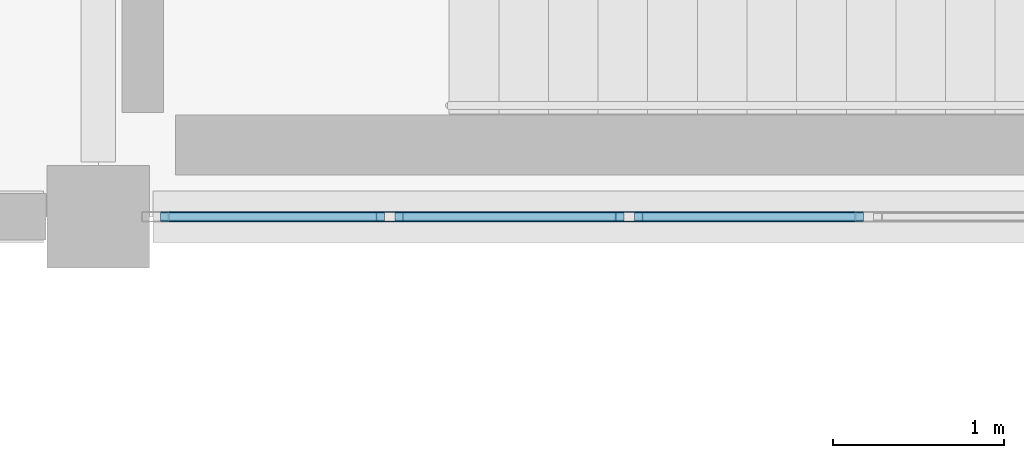
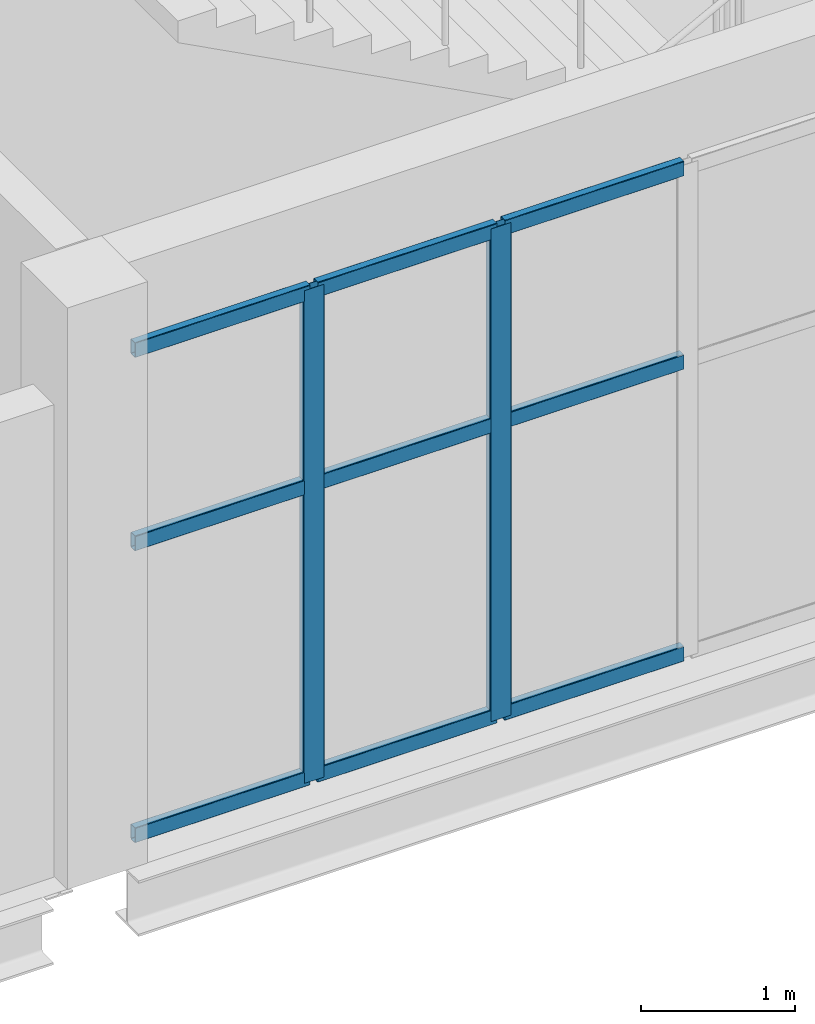
# One storey, part 89 of 136: 11 members, 1 element without a shape of its own.
"""IFC4 building model written with IfcOpenShell, lengths in metres."""

import ifcopenshell
import ifcopenshell.guid

model = None  # the IFC model being written
_history = None  # IfcOwnerHistory: only IFC2X3 demands one
_inside = {}  # id of a spatial element -> (the spatial element, [elements in it])
_under = {}  # id of a project, library or spatial element -> (it, [spatial elements below it])
_declared = {}  # id of a project -> (the project, [libraries it declares])
_typed = {}  # id of a type object -> (the type object, [elements of that type])
_made_of = {}  # id of a material, layer set ... -> (it, [elements and type objects made of it])


def new_model(schema):
    """Start an empty IFC model of exactly this schema.

    Asked for "IFC4X3", IfcOpenShell would pick the latest addendum, in which some entities
    have other attributes; the version numbers below select the first issue.
    IFC2X3 requires an IfcOwnerHistory on every rooted entity: one is made here for all.
    """
    global model, _history
    if schema == "IFC4X3":
        model = ifcopenshell.file(schema_version=(4, 3, 0, 0))
    else:
        model = ifcopenshell.file(schema=schema)
    _inside.clear()
    _under.clear()
    _declared.clear()
    _typed.clear()
    _made_of.clear()
    _history = None
    if model.schema == "IFC2X3":
        org = make("IfcOrganization", Name="unknown")
        user = make(
            "IfcPersonAndOrganization",
            ThePerson=make("IfcPerson", FamilyName="unknown"),
            TheOrganization=org,
        )
        app = make(
            "IfcApplication",
            ApplicationDeveloper=org,
            Version="unknown",
            ApplicationFullName="unknown",
            ApplicationIdentifier="unknown",
        )
        _history = make(
            "IfcOwnerHistory",
            OwningUser=user,
            OwningApplication=app,
            ChangeAction="ADDED",
            CreationDate=0,
        )
    return model


def make(cls, **values):
    """One entity of the class cls with the attributes given. An attribute that is None is left unset."""
    return model.create_entity(
        cls, **{name: value for name, value in values.items() if value is not None}
    )


def rooted(cls, **values):
    """An entity with a GlobalId (a new one), such as an element, a storey or a relation."""
    return make(cls, GlobalId=ifcopenshell.guid.new(), OwnerHistory=_history, **values)


def si_unit(unit_type, name, prefix=None):
    """IfcSIUnit, for example si_unit("LENGTHUNIT", "METRE", prefix="MILLI")."""
    return make("IfcSIUnit", UnitType=unit_type, Prefix=prefix, Name=name)


def assignment(units):
    """IfcUnitAssignment: the units of a project."""
    return None if units is None else make("IfcUnitAssignment", Units=units)


def point(xyz):
    """IfcCartesianPoint."""
    return None if xyz is None else make("IfcCartesianPoint", Coordinates=xyz)


def direction(xyz):
    """IfcDirection."""
    return None if xyz is None else make("IfcDirection", DirectionRatios=xyz)


def frame(location, z_axis=None, x_axis=None):
    """IfcAxis2Placement3D, a coordinate frame: its origin and axes. An axis left out is left unset."""
    return make(
        "IfcAxis2Placement3D",
        Location=point(location),
        Axis=direction(z_axis),
        RefDirection=direction(x_axis),
    )


def frame_2d(location, x_axis=None):
    """IfcAxis2Placement2D, a coordinate frame in the plane: its origin and x axis."""
    return make(
        "IfcAxis2Placement2D", Location=point(location), RefDirection=direction(x_axis)
    )


def origin():
    """The frame at (0, 0, 0) with its axes left unset."""
    return frame((0.0, 0.0, 0.0))


def origin_2d():
    """The frame at (0, 0) in the plane with its x axis left unset."""
    return frame_2d((0.0, 0.0))


def place(relative_to, where):
    """IfcLocalPlacement: puts the frame where relative to a parent placement (None: the world)."""
    return make(
        "IfcLocalPlacement", PlacementRelTo=relative_to, RelativePlacement=where
    )


def context(
    kind, dimensions, precision=None, world=None, true_north=None, identifier=None
):
    """IfcGeometricRepresentationContext, for example the 3D "Model" context."""
    return make(
        "IfcGeometricRepresentationContext",
        ContextIdentifier=identifier,
        ContextType=kind,
        CoordinateSpaceDimension=dimensions,
        Precision=precision,
        WorldCoordinateSystem=world,
        TrueNorth=true_north,
    )


def subcontext(parent, identifier, kind, view, scale=None):
    """IfcGeometricRepresentationSubContext, for example "Body" below "Model"."""
    return make(
        "IfcGeometricRepresentationSubContext",
        ContextIdentifier=identifier,
        ContextType=kind,
        ParentContext=parent,
        TargetScale=scale,
        TargetView=view,
    )


def project(units=None, contexts=None):
    """IfcProject with its units and contexts."""
    return rooted(
        "IfcProject",
        Name="project",
        RepresentationContexts=contexts,
        UnitsInContext=assignment(units),
    )


def spatial(cls, under=None, at=None, **own):
    """A site, building, storey or space (cls), placed at a placement, below another one or the project."""
    s = rooted(cls, ObjectPlacement=at, **own)
    if under is not None:
        _under.setdefault(under.id(), (under, []))[1].append(s)
    return s


def profile(cls, at=None, kind="AREA", **sizes):
    """A parametric profile (cls). Its sizes go by their IFC names, for example OverallWidth=200.0."""
    return make(cls, ProfileType=kind, Position=at, **sizes)


def hollow_rectangle(**sizes):
    """IfcRectangleHollowProfileDef."""
    return profile("IfcRectangleHollowProfileDef", **sizes)


def extrude(swept, where, along, depth):
    """IfcExtrudedAreaSolid: the profile swept, set in the frame where, extruded along a direction by depth."""
    return make(
        "IfcExtrudedAreaSolid",
        SweptArea=swept,
        Position=where,
        ExtrudedDirection=direction(along),
        Depth=depth,
    )


def shape(context_of_items, identifier, shape_type, items):
    """IfcShapeRepresentation: the items that make up one representation, for example the "Body"."""
    return make(
        "IfcShapeRepresentation",
        ContextOfItems=context_of_items,
        RepresentationIdentifier=identifier,
        RepresentationType=shape_type,
        Items=items,
    )


def material(Name=None, Category=None):
    """IfcMaterial."""
    return make("IfcMaterial", Name=Name, Category=Category)


def material_profile(
    of_material, cross_section, Name=None, Category=None, Priority=None
):
    """IfcMaterialProfile: a cross section and its material."""
    return make(
        "IfcMaterialProfile",
        Name=Name,
        Material=of_material,
        Profile=cross_section,
        Priority=Priority,
        Category=Category,
    )


def profile_set(profiles, Name=None, composite=None):
    """IfcMaterialProfileSet."""
    return make(
        "IfcMaterialProfileSet",
        Name=Name,
        MaterialProfiles=profiles,
        CompositeProfile=composite,
    )


def made_of(thing, what):
    """Note that an element or type object is made of a material, layer set ...; save() writes the relation."""
    if what is not None:
        _made_of.setdefault(what.id(), (what, []))[1].append(thing)
    return thing


def type_object(cls, material=None, **own):
    """A type object (cls), such as IfcWallType, which elements share."""
    return made_of(rooted(cls, **own), material)


def element(
    cls,
    number,
    at=None,
    inside=None,
    cuts=None,
    type_object=None,
    material=None,
    context=None,
    identifier="Body",
    shape_type=None,
    held_by="IfcProductDefinitionShape",
    body=None,
    shapes=None,
    **own,
):
    """One element of the class cls, such as IfcWall. Its Tag is "e" and its number.

    at: its placement. inside: the storey or other place that contains it. cuts: it is an
    opening in that element (IfcRelVoidsElement). A single representation is given by context,
    identifier, shape_type and body (its items); several are given by shapes. held_by: the class
    of the entity that holds the representations. save() writes the other relations.
    """
    e = rooted(cls, Tag="e%d" % number, ObjectPlacement=at, **own)
    if body is not None:
        shapes = [shape(context, identifier, shape_type, body)]
    if shapes is not None:
        e.Representation = make(held_by, Representations=shapes)
    if inside is not None:
        _inside.setdefault(inside.id(), (inside, []))[1].append(e)
    if cuts is not None:
        rooted(
            "IfcRelVoidsElement", RelatingBuildingElement=cuts, RelatedOpeningElement=e
        )
    if type_object is not None:
        _typed.setdefault(type_object.id(), (type_object, []))[1].append(e)
    return made_of(e, material)


def aggregate(whole, parts):
    """IfcRelAggregates: a whole, such as a stair, and the parts it consists of."""
    return rooted("IfcRelAggregates", RelatingObject=whole, RelatedObjects=parts)


def save(model, path):
    """Write the relations noted so far, then the file.

    IfcRelAggregates (storeys below a building ...), IfcRelContainedInSpatialStructure (elements
    in a storey), IfcRelDefinesByType, IfcRelAssociatesMaterial and IfcRelDeclares: one each for
    every whole, place, type object, material and project.
    """
    for whole, parts in _under.values():
        aggregate(whole, parts)
    for where, things in _inside.values():
        rooted(
            "IfcRelContainedInSpatialStructure",
            RelatedElements=things,
            RelatingStructure=where,
        )
    for kind, things in _typed.values():
        rooted("IfcRelDefinesByType", RelatedObjects=things, RelatingType=kind)
    for what, things in _made_of.values():
        rooted("IfcRelAssociatesMaterial", RelatedObjects=things, RelatingMaterial=what)
    for by, libraries in _declared.values():
        rooted("IfcRelDeclares", RelatingContext=by, RelatedDefinitions=libraries)
    model.write(path)


model = new_model("IFC4")

# Units and contexts
model_context = context("Model", 3, precision=1e-05, world=origin(), true_north=direction((0.0, 1.0)))
body_context = subcontext(model_context, "Body", "Model", "MODEL_VIEW")
ifc_project = project(units=[si_unit("LENGTHUNIT", "METRE"), si_unit("AREAUNIT", "SQUARE_METRE"), si_unit("VOLUMEUNIT", "CUBIC_METRE"), si_unit("PLANEANGLEUNIT", "RADIAN"), si_unit("MASSUNIT", "GRAM", prefix="KILO")], contexts=[model_context])

# Site, building, storey
site_placement = place(None, origin())
site = spatial("IfcSite", under=ifc_project, at=site_placement, CompositionType="ELEMENT")
building_placement = place(site_placement, origin())
building = spatial("IfcBuilding", under=site, at=building_placement, Name="Shengluoqiao Park Theatre", CompositionType="ELEMENT")
storey_placement = place(building_placement, frame((0.0, 0.0, 10.0)))
storey = spatial("IfcBuildingStorey", under=building, at=storey_placement, Name="L02", CompositionType="ELEMENT", Elevation=10.0)

# Curtain wall, members
ifc_material = material(Name="Aluminium 6063-T6", Category="aluminium")
curtain_wall_type = type_object("IfcCurtainWallType", Name="ENV-CW-CLERE", PredefinedType="NOTDEFINED", material=ifc_material)
curtain_wall_placement = place(storey_placement, origin())
curtain_wall = element("IfcCurtainWall", 1, at=curtain_wall_placement, inside=storey, type_object=curtain_wall_type, Name="L02 Curtain Wall CWX-L02-0189", PredefinedType="NOTDEFINED")
ifc_material_profile_1 = material_profile(ifc_material, hollow_rectangle(XDim=0.06005859375, YDim=0.159912109375, WallThickness=0.00390625, InnerFilletRadius=0.00390625, OuterFilletRadius=0.008056640625, at=origin_2d()), Name="ALU MULLION 160x60x4")
ifc_profile_set_1 = profile_set([ifc_material_profile_1], Name="Aluminium 6063-T6")
member_type_1 = type_object("IfcMemberType", Name="ENV-MUL-160", PredefinedType="MULLION", material=ifc_profile_set_1)
member_1_placement = place(storey_placement, frame((141.102783203125, 84.0, 0.0), z_axis=(0.0, 0.0, 1.0), x_axis=(0.0, 1.0, 0.0)))
member_1 = element("IfcMember", 2, at=member_1_placement, type_object=member_type_1, Name="CW-06 mullion 2", PredefinedType="MULLION", context=body_context, shape_type="SweptSolid", body=[
    extrude(hollow_rectangle(XDim=0.06005859375, YDim=0.159912109375, WallThickness=0.00390625, InnerFilletRadius=0.00390625, OuterFilletRadius=0.008056640625, at=origin_2d()), origin(), (0.0, 0.0, 1.0), 3.89794921875),
])
member_2_placement = place(storey_placement, frame((142.501220703125, 84.0, 0.0), z_axis=(0.0, 0.0, 1.0), x_axis=(0.0, 1.0, 0.0)))
member_2 = element("IfcMember", 3, at=member_2_placement, type_object=member_type_1, Name="CW-06 mullion 3", PredefinedType="MULLION", context=body_context, shape_type="SweptSolid", body=[
    extrude(hollow_rectangle(XDim=0.06005859375, YDim=0.159912109375, WallThickness=0.00390625, InnerFilletRadius=0.00390625, OuterFilletRadius=0.008056640625, at=origin_2d()), origin(), (0.0, 0.0, 1.0), 3.89794921875),
])
ifc_material_profile_2 = material_profile(ifc_material, hollow_rectangle(XDim=0.06005859375, YDim=0.1201171875, WallThickness=0.00390625, InnerFilletRadius=0.00390625, OuterFilletRadius=0.008056640625, at=origin_2d()), Name="ALU TRANSOM 120x60x4")
ifc_profile_set_2 = profile_set([ifc_material_profile_2], Name="Aluminium 6063-T6")
member_type_2 = type_object("IfcMemberType", Name="ENV-TRN-120", PredefinedType="USERDEFINED", material=ifc_profile_set_2)
member_3_placement = place(storey_placement, frame((139.763916015625, 84.0, 0.030029296875), z_axis=(1.0, 0.0, 0.0), x_axis=(0.0, 1.0, 0.0)))
member_3 = element("IfcMember", 4, at=member_3_placement, type_object=member_type_2, Name="CW-06 transom 1.1", ObjectType="TRANSOM", PredefinedType="USERDEFINED", context=body_context, shape_type="SweptSolid", body=[
    extrude(hollow_rectangle(XDim=0.06005859375, YDim=0.1201171875, WallThickness=0.00390625, InnerFilletRadius=0.00390625, OuterFilletRadius=0.008056640625, at=origin_2d()), origin(), (0.0, 0.0, 1.0), 1.308837890625),
])
member_4_placement = place(storey_placement, frame((139.763916015625, 84.0, 2.339111328125), z_axis=(1.0, 0.0, 0.0), x_axis=(0.0, 1.0, 0.0)))
member_4 = element("IfcMember", 5, at=member_4_placement, type_object=member_type_2, Name="CW-06 transom 1.2", ObjectType="TRANSOM", PredefinedType="USERDEFINED", context=body_context, shape_type="SweptSolid", body=[
    extrude(hollow_rectangle(XDim=0.06005859375, YDim=0.1201171875, WallThickness=0.00390625, InnerFilletRadius=0.00390625, OuterFilletRadius=0.008056640625, at=origin_2d()), origin(), (0.0, 0.0, 1.0), 1.308837890625),
])
member_5_placement = place(storey_placement, frame((139.763916015625, 84.0, 3.867919921875), z_axis=(1.0, 0.0, 0.0), x_axis=(0.0, 1.0, 0.0)))
member_5 = element("IfcMember", 6, at=member_5_placement, type_object=member_type_2, Name="CW-06 transom 1.3", ObjectType="TRANSOM", PredefinedType="USERDEFINED", context=body_context, shape_type="SweptSolid", body=[
    extrude(hollow_rectangle(XDim=0.06005859375, YDim=0.1201171875, WallThickness=0.00390625, InnerFilletRadius=0.00390625, OuterFilletRadius=0.008056640625, at=origin_2d()), origin(), (0.0, 0.0, 1.0), 1.308837890625),
])
member_6_placement = place(storey_placement, frame((141.132568359375, 84.0, 0.030029296875), z_axis=(1.0, 0.0, 0.0), x_axis=(0.0, 1.0, 0.0)))
member_6 = element("IfcMember", 7, at=member_6_placement, type_object=member_type_2, Name="CW-06 transom 2.1", ObjectType="TRANSOM", PredefinedType="USERDEFINED", context=body_context, shape_type="SweptSolid", body=[
    extrude(hollow_rectangle(XDim=0.06005859375, YDim=0.1201171875, WallThickness=0.00390625, InnerFilletRadius=0.00390625, OuterFilletRadius=0.008056640625, at=origin_2d()), origin(), (0.0, 0.0, 1.0), 1.3388671875),
])
member_7_placement = place(storey_placement, frame((141.132568359375, 84.0, 2.339111328125), z_axis=(1.0, 0.0, 0.0), x_axis=(0.0, 1.0, 0.0)))
member_7 = element("IfcMember", 8, at=member_7_placement, type_object=member_type_2, Name="CW-06 transom 2.2", ObjectType="TRANSOM", PredefinedType="USERDEFINED", context=body_context, shape_type="SweptSolid", body=[
    extrude(hollow_rectangle(XDim=0.06005859375, YDim=0.1201171875, WallThickness=0.00390625, InnerFilletRadius=0.00390625, OuterFilletRadius=0.008056640625, at=origin_2d()), origin(), (0.0, 0.0, 1.0), 1.3388671875),
])
member_8_placement = place(storey_placement, frame((141.132568359375, 84.0, 3.867919921875), z_axis=(1.0, 0.0, 0.0), x_axis=(0.0, 1.0, 0.0)))
member_8 = element("IfcMember", 9, at=member_8_placement, type_object=member_type_2, Name="CW-06 transom 2.3", ObjectType="TRANSOM", PredefinedType="USERDEFINED", context=body_context, shape_type="SweptSolid", body=[
    extrude(hollow_rectangle(XDim=0.06005859375, YDim=0.1201171875, WallThickness=0.00390625, InnerFilletRadius=0.00390625, OuterFilletRadius=0.008056640625, at=origin_2d()), origin(), (0.0, 0.0, 1.0), 1.3388671875),
])
member_9_placement = place(storey_placement, frame((142.53125, 84.0, 0.030029296875), z_axis=(1.0, 0.0, 0.0), x_axis=(0.0, 1.0, 0.0)))
member_9 = element("IfcMember", 10, at=member_9_placement, type_object=member_type_2, Name="CW-06 transom 3.1", ObjectType="TRANSOM", PredefinedType="USERDEFINED", context=body_context, shape_type="SweptSolid", body=[
    extrude(hollow_rectangle(XDim=0.06005859375, YDim=0.1201171875, WallThickness=0.00390625, InnerFilletRadius=0.00390625, OuterFilletRadius=0.008056640625, at=origin_2d()), origin(), (0.0, 0.0, 1.0), 1.3388671875),
])
member_10_placement = place(storey_placement, frame((142.53125, 84.0, 2.339111328125), z_axis=(1.0, 0.0, 0.0), x_axis=(0.0, 1.0, 0.0)))
member_10 = element("IfcMember", 11, at=member_10_placement, type_object=member_type_2, Name="CW-06 transom 3.2", ObjectType="TRANSOM", PredefinedType="USERDEFINED", context=body_context, shape_type="SweptSolid", body=[
    extrude(hollow_rectangle(XDim=0.06005859375, YDim=0.1201171875, WallThickness=0.00390625, InnerFilletRadius=0.00390625, OuterFilletRadius=0.008056640625, at=origin_2d()), origin(), (0.0, 0.0, 1.0), 1.3388671875),
])
member_11_placement = place(storey_placement, frame((142.53125, 84.0, 3.867919921875), z_axis=(1.0, 0.0, 0.0), x_axis=(0.0, 1.0, 0.0)))
member_11 = element("IfcMember", 12, at=member_11_placement, type_object=member_type_2, Name="CW-06 transom 3.3", ObjectType="TRANSOM", PredefinedType="USERDEFINED", context=body_context, shape_type="SweptSolid", body=[
    extrude(hollow_rectangle(XDim=0.06005859375, YDim=0.1201171875, WallThickness=0.00390625, InnerFilletRadius=0.00390625, OuterFilletRadius=0.008056640625, at=origin_2d()), origin(), (0.0, 0.0, 1.0), 1.3388671875),
])
aggregate(curtain_wall, [member_1, member_2, member_3, member_4, member_5, member_6, member_7, member_8, member_9, member_10, member_11])

save(model, "model.ifc")
